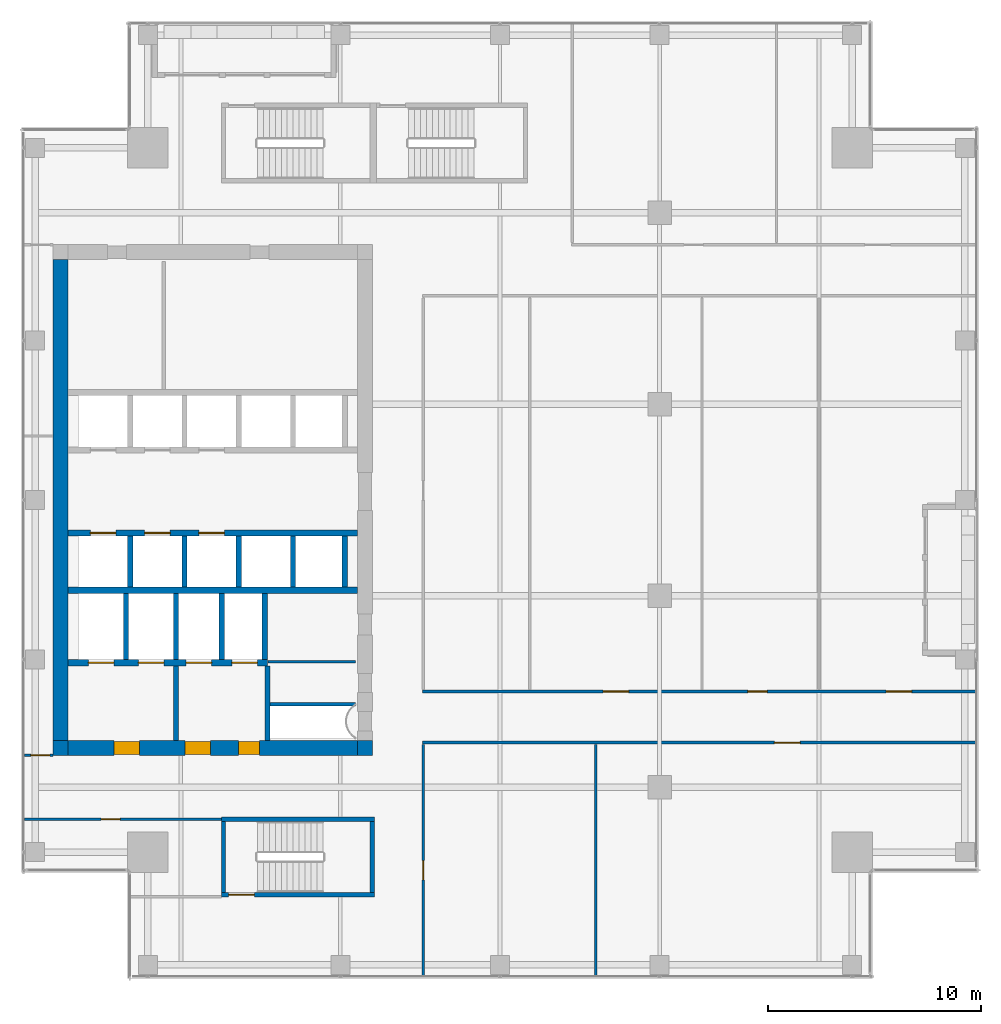
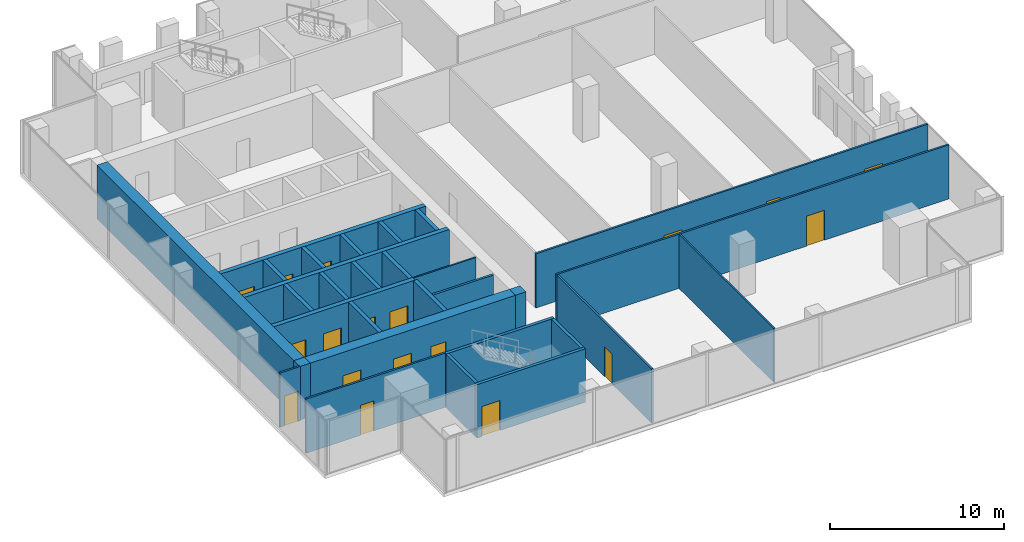
# One storey, part 30 of 35: 30 walls, 18 doors, 18 openings.
"""IFC4 building model written with IfcOpenShell, lengths in metres."""

from ifc_helpers import new_model, si_unit, direction, frame, frame_2d, origin, place, context, subcontext, project, spatial, rectangle, extrude, source, transform, mapped, material, layer, layer_set, type_object, element, fill, save


model = new_model("IFC4")

# Units and contexts
model_context = context("Model", 3, precision=1e-05, world=origin(), true_north=direction((0.0, 1.0)))
body_context = subcontext(model_context, "Body", "Model", "MODEL_VIEW")
ifc_project = project(units=[si_unit("LENGTHUNIT", "METRE"), si_unit("AREAUNIT", "SQUARE_METRE"), si_unit("VOLUMEUNIT", "CUBIC_METRE"), si_unit("PLANEANGLEUNIT", "RADIAN"), si_unit("MASSUNIT", "GRAM", prefix="KILO")], contexts=[model_context])

# Site, building, storey
site_placement = place(None, origin())
site = spatial("IfcSite", under=ifc_project, at=site_placement, CompositionType="ELEMENT")
building_placement = place(site_placement, origin())
building = spatial("IfcBuilding", under=site, at=building_placement, Name="Khomas Fold Tower", CompositionType="ELEMENT")
storey_placement = place(building_placement, frame((0.0, 0.0, 262.199951171875)))
storey = spatial("IfcBuildingStorey", under=building, at=storey_placement, Name="L59", CompositionType="ELEMENT", Elevation=262.199951171875)

# Wall
ifc_material_1 = material(Name="Concrete C50/60", Category="concrete")
ifc_layer_1 = layer(ifc_material_1, 0.199951171875)
ifc_layer_set_1 = layer_set([ifc_layer_1], Name="Concrete C50/60")
wall_type_1 = type_object("IfcWallType", Name="Stair wall 200", PredefinedType="SHEAR", material=ifc_layer_set_1)
shared_shape_1 = source(origin(), body_context, "Body", "SweptSolid", [
    extrude(rectangle(XDim=7.2001953125, YDim=0.199951171875, at=frame_2d((3.60009765625, 0.0))), origin(), (0.0, 0.0, 1.0), 3.75),
])
wall_1_placement = place(storey_placement, frame((13.89990234375, 12.0, 0.0), z_axis=(0.0, 0.0, 1.0), x_axis=(1.0, 0.0, 0.0)))
element("IfcWall", 1, at=wall_1_placement, inside=storey, type_object=wall_type_1, Name="Stair wall SW-ST2-NH", PredefinedType="SHEAR", context=body_context, shape_type="MappedRepresentation", body=[
    mapped(shared_shape_1, transform((0.0, 0.0, 0.0))),
])

# Wall, opening, door
wall_2_placement = place(storey_placement, frame((13.89990234375, 8.449951171875, 0.0), z_axis=(0.0, 0.0, 1.0), x_axis=(1.0, 0.0, 0.0)))
wall_2 = element("IfcWall", 2, at=wall_2_placement, inside=storey, type_object=wall_type_1, Name="Stair wall SW-ST2-S", PredefinedType="SHEAR", context=body_context, shape_type="MappedRepresentation", body=[
    mapped(shared_shape_1, transform((0.0, 0.0, 0.0))),
])
shared_shape_2 = source(origin(), body_context, "Body", "SweptSolid", [
    extrude(rectangle(XDim=1.199951171875, YDim=2.10009765625, at=frame_2d((0.60009765625, 1.050048828125))), frame((0.0, 0.10986328125, 0.0), z_axis=(0.0, -1.0, 0.0), x_axis=(1.0, 0.0, 0.0)), (0.0, 0.0, 1.0), 0.219970703125),
])
opening_1_placement = place(wall_2_placement, frame((0.35009765625, 0.0, 0.0)))
opening_1 = element("IfcOpeningElement", 3, at=opening_1_placement, cuts=wall_2, Name="Opening SD-ST2", PredefinedType="OPENING", context=body_context, shape_type="MappedRepresentation", body=[
    mapped(shared_shape_2, transform((0.0, 0.0, 0.0))),
])
ifc_material_2 = material(Name="Steel door leaf", Category="steel")
door_type_1 = type_object("IfcDoorType", Name="Stair door 1200x2100 right-hand", OperationType="SINGLE_SWING_RIGHT", PredefinedType="DOOR", material=ifc_material_2)
shared_shape_3 = source(origin(), body_context, "Body", "SweptSolid", [
    extrude(rectangle(XDim=1.199951171875, YDim=2.10009765625, at=frame_2d((0.60009765625, 1.050048828125))), frame((0.0, 0.02490234375, 0.0), z_axis=(0.0, -1.0, 0.0), x_axis=(1.0, 0.0, 0.0)), (0.0, 0.0, 1.0), 0.050048828125),
])
door_1_placement = place(opening_1_placement, origin())
door_1 = element("IfcDoor", 4, at=door_1_placement, inside=storey, type_object=door_type_1, Name="Stair door", OperationType="SINGLE_SWING_RIGHT", OverallHeight=2.10009765625, OverallWidth=1.199951171875, PredefinedType="DOOR", context=body_context, shape_type="MappedRepresentation", body=[
    mapped(shared_shape_3, transform((0.0, 0.0, 0.0))),
])
fill(opening_1, door_1)

# Walls
shared_shape_4 = source(origin(), body_context, "Body", "SweptSolid", [
    extrude(rectangle(XDim=3.349853515625, YDim=0.199951171875, at=frame_2d((1.6748046875, 0.0))), origin(), (0.0, 0.0, 1.0), 3.75),
])
for number, where, z_axis, x_axis, name in (
    (5, (21.0, 8.550048828125, 0.0), (0.0, 0.0, 1.0), (0.0, 1.0, 0.0), "Stair wall SW-ST2-E"),
    (6, (14.0, 8.550048828125, 0.0), (0.0, 0.0, 1.0), (0.0, 1.0, 0.0), "Stair wall SW-ST2-W"),
):
    element("IfcWall", number, at=place(storey_placement, frame(where, z_axis=z_axis, x_axis=x_axis)), inside=storey, type_object=wall_type_1, Name=name, PredefinedType="SHEAR", context=body_context, shape_type="MappedRepresentation", body=[
        mapped(shared_shape_4, transform((0.0, 0.0, 0.0))),
    ])
ifc_material_3 = material(Name="Concrete C50/60", Category="concrete")
ifc_layer_2 = layer(ifc_material_3, 0.25)
ifc_layer_set_2 = layer_set([ifc_layer_2], Name="Concrete C50/60")
wall_type_2 = type_object("IfcWallType", Name="Shaft wall 250", PredefinedType="STANDARD", material=ifc_layer_set_2)
shared_shape_5 = source(origin(), body_context, "Body", "SweptSolid", [
    extrude(rectangle(XDim=3.10009765625, YDim=0.25, at=frame_2d((1.550048828125, 0.0))), origin(), (0.0, 0.0, 1.0), 3.75),
])
for number, where, z_axis, x_axis, name in (
    (7, (9.425048828125, 19.5, 0.0), (0.0, 0.0, 1.0), (0.0, 1.0, 0.0), "Core wall SW-FS-P1"),
    (8, (11.77490234375, 19.5, 0.0), (0.0, 0.0, 1.0), (0.0, 1.0, 0.0), "Core wall SW-FS-P2"),
    (9, (13.925048828125, 19.5, 0.0), (0.0, 0.0, 1.0), (0.0, 1.0, 0.0), "Core wall SW-FS-P3"),
    (10, (15.949951171875, 19.5, 0.0), (0.0, 0.0, 1.0), (0.0, 1.0, 0.0), "Core wall SW-FS-PE"),
):
    element("IfcWall", number, at=place(storey_placement, frame(where, z_axis=z_axis, x_axis=x_axis)), inside=storey, type_object=wall_type_2, Name=name, PredefinedType="STANDARD", context=body_context, shape_type="MappedRepresentation", body=[
        mapped(shared_shape_5, transform((0.0, 0.0, 0.0))),
    ])
shared_shape_6 = source(origin(), body_context, "Body", "SweptSolid", [
    extrude(rectangle(XDim=2.400146484375, YDim=0.25, at=frame_2d((1.2001953125, 0.0))), origin(), (0.0, 0.0, 1.0), 3.75),
])
for number, where, z_axis, x_axis, name in (
    (11, (17.27490234375, 22.89990234375, 0.0), (0.0, 0.0, 1.0), (0.0, 1.0, 0.0), "Core wall SW-HRS-MR-P1"),
    (12, (19.699951171875, 22.89990234375, 0.0), (0.0, 0.0, 1.0), (0.0, 1.0, 0.0), "Core wall SW-HRS-MR-PE"),
    (13, (9.625, 22.89990234375, 0.0), (0.0, 0.0, 1.0), (0.0, 1.0, 0.0), "Core wall SW-HRS-P1"),
    (14, (12.175048828125, 22.89990234375, 0.0), (0.0, 0.0, 1.0), (0.0, 1.0, 0.0), "Core wall SW-HRS-P2"),
    (15, (14.72509765625, 22.89990234375, 0.0), (0.0, 0.0, 1.0), (0.0, 1.0, 0.0), "Core wall SW-HRS-PE"),
):
    element("IfcWall", number, at=place(storey_placement, frame(where, z_axis=z_axis, x_axis=x_axis)), inside=storey, type_object=wall_type_2, Name=name, PredefinedType="STANDARD", context=body_context, shape_type="MappedRepresentation", body=[
        mapped(shared_shape_6, transform((0.0, 0.0, 0.0))),
    ])

# Wall, openings, doors
ifc_material_4 = material(Name="Concrete C60/75", Category="concrete")
ifc_layer_3 = layer(ifc_material_4, 0.699951171875)
ifc_layer_set_3 = layer_set([ifc_layer_3], Name="Concrete C60/75")
wall_type_3 = type_object("IfcWallType", Name="Core wall 700", PredefinedType="SHEAR", material=ifc_layer_set_3)
shared_shape_7 = source(origin(), body_context, "Body", "SweptSolid", [
    extrude(rectangle(XDim=13.60009765625, YDim=0.699951171875, at=frame_2d((6.800048828125, 0.0))), origin(), (0.0, 0.0, 1.0), 3.75),
])
wall_3_placement = place(storey_placement, frame((6.699951171875, 15.35009765625, 0.0), z_axis=(0.0, 0.0, 1.0), x_axis=(1.0, 0.0, 0.0)))
wall_3 = element("IfcWall", 16, at=wall_3_placement, inside=storey, type_object=wall_type_3, Name="Core wall CW-U-S-L49", PredefinedType="SHEAR", context=body_context, shape_type="MappedRepresentation", body=[
    mapped(shared_shape_7, transform((0.0, 0.0, 0.0))),
])
shared_shape_8 = source(origin(), body_context, "Body", "SweptSolid", [
    extrude(rectangle(XDim=1.199951171875, YDim=2.10009765625, at=frame_2d((0.60009765625, 1.050048828125))), frame((0.0, 0.35986328125, 0.0), z_axis=(0.0, -1.0, 0.0), x_axis=(1.0, 0.0, 0.0)), (0.0, 0.0, 1.0), 0.719970703125),
])
opening_2_placement = place(wall_3_placement, frame((5.5, 0.0, 0.0)))
opening_2 = element("IfcOpeningElement", 17, at=opening_2_placement, cuts=wall_3, Name="Opening 0009", PredefinedType="OPENING", context=body_context, shape_type="MappedRepresentation", body=[
    mapped(shared_shape_8, transform((0.0, 0.0, 0.0))),
])
opening_3_placement = place(wall_3_placement, frame((2.14990234375, 0.0, 0.0)))
opening_3 = element("IfcOpeningElement", 18, at=opening_3_placement, cuts=wall_3, Name="Opening 0009", PredefinedType="OPENING", context=body_context, shape_type="MappedRepresentation", body=[
    mapped(shared_shape_8, transform((0.0, 0.0, 0.0))),
])
shared_shape_9 = source(origin(), body_context, "Body", "SweptSolid", [
    extrude(rectangle(XDim=1.0, YDim=2.10009765625, at=frame_2d((0.5, 1.050048828125))), frame((0.0, 0.35986328125, 0.0), z_axis=(0.0, -1.0, 0.0), x_axis=(1.0, 0.0, 0.0)), (0.0, 0.0, 1.0), 0.719970703125),
])
opening_4_placement = place(wall_3_placement, frame((8.0, 0.0, 0.0)))
opening_4 = element("IfcOpeningElement", 19, at=opening_4_placement, cuts=wall_3, Name="Opening 0010", PredefinedType="OPENING", context=body_context, shape_type="MappedRepresentation", body=[
    mapped(shared_shape_9, transform((0.0, 0.0, 0.0))),
])
ifc_material_5 = material(Name="Steel door leaf", Category="steel")
door_type_2 = type_object("IfcDoorType", Name="Lobby door 1200x2100 right-hand", OperationType="SINGLE_SWING_RIGHT", PredefinedType="DOOR", material=ifc_material_5)
shared_shape_10 = source(origin(), body_context, "Body", "SweptSolid", [
    extrude(rectangle(XDim=1.199951171875, YDim=2.10009765625, at=frame_2d((0.60009765625, 1.050048828125))), frame((0.0, 0.2998046875, 0.0), z_axis=(0.0, -1.0, 0.0), x_axis=(1.0, 0.0, 0.0)), (0.0, 0.0, 1.0), 0.599853515625),
])
door_2_placement = place(opening_2_placement, origin())
door_2 = element("IfcDoor", 20, at=door_2_placement, inside=storey, type_object=door_type_2, Name="Lobby door", OperationType="SINGLE_SWING_RIGHT", OverallHeight=2.10009765625, OverallWidth=1.199951171875, PredefinedType="DOOR", context=body_context, shape_type="MappedRepresentation", body=[
    mapped(shared_shape_10, transform((0.0, 0.0, 0.0))),
])
fill(opening_2, door_2)
door_3_placement = place(opening_3_placement, origin())
door_3 = element("IfcDoor", 21, at=door_3_placement, inside=storey, type_object=door_type_2, Name="Lobby door", OperationType="SINGLE_SWING_RIGHT", OverallHeight=2.10009765625, OverallWidth=1.199951171875, PredefinedType="DOOR", context=body_context, shape_type="MappedRepresentation", body=[
    mapped(shared_shape_10, transform((0.0, 0.0, 0.0))),
])
fill(opening_3, door_3)
ifc_material_6 = material(Name="Steel door leaf", Category="steel")
door_type_3 = type_object("IfcDoorType", Name="Stair door 1000x2100 right-hand", OperationType="SINGLE_SWING_RIGHT", PredefinedType="DOOR", material=ifc_material_6)
shared_shape_11 = source(origin(), body_context, "Body", "SweptSolid", [
    extrude(rectangle(XDim=1.0, YDim=2.10009765625, at=frame_2d((0.5, 1.050048828125))), frame((0.0, 0.2998046875, 0.0), z_axis=(0.0, -1.0, 0.0), x_axis=(1.0, 0.0, 0.0)), (0.0, 0.0, 1.0), 0.599853515625),
])
door_4_placement = place(opening_4_placement, origin())
door_4 = element("IfcDoor", 22, at=door_4_placement, inside=storey, type_object=door_type_3, Name="Stair door", OperationType="SINGLE_SWING_RIGHT", OverallHeight=2.10009765625, OverallWidth=1.0, PredefinedType="DOOR", context=body_context, shape_type="MappedRepresentation", body=[
    mapped(shared_shape_11, transform((0.0, 0.0, 0.0))),
])
fill(opening_4, door_4)

# Walls
ifc_material_7 = material(Name="Concrete C60/75", Category="concrete")
ifc_layer_4 = layer(ifc_material_7, 0.699951171875)
ifc_layer_set_4 = layer_set([ifc_layer_4], Name="Concrete C60/75")
wall_type_4 = type_object("IfcWallType", Name="Core corner wall 700", PredefinedType="SHEAR", material=ifc_layer_set_4)
shared_shape_12 = source(origin(), body_context, "Body", "SweptSolid", [
    extrude(rectangle(XDim=0.699951171875, YDim=0.699951171875, at=frame_2d((0.35009765625, 0.0))), origin(), (0.0, 0.0, 1.0), 3.75),
])
for number, where, z_axis, x_axis, name in (
    (23, (20.300048828125, 15.35009765625, 0.0), (0.0, 0.0, 1.0), (1.0, 0.0, 0.0), "Core wall CW-U-SE-L49"),
    (24, (6.0, 15.35009765625, 0.0), (0.0, 0.0, 1.0), (1.0, 0.0, 0.0), "Core wall CW-U-SW-L49"),
):
    element("IfcWall", number, at=place(storey_placement, frame(where, z_axis=z_axis, x_axis=x_axis)), inside=storey, type_object=wall_type_4, Name=name, PredefinedType="SHEAR", context=body_context, shape_type="MappedRepresentation", body=[
        mapped(shared_shape_12, transform((0.0, 0.0, 0.0))),
    ])
shared_shape_13 = source(origin(), body_context, "Body", "SweptSolid", [
    extrude(rectangle(XDim=22.60009765625, YDim=0.699951171875, at=frame_2d((11.300048828125, 0.0))), origin(), (0.0, 0.0, 1.0), 3.75),
])
wall_4_placement = place(storey_placement, frame((6.35009765625, 15.699951171875, 0.0), z_axis=(0.0, 0.0, 1.0), x_axis=(0.0, 1.0, 0.0)))
element("IfcWall", 25, at=wall_4_placement, inside=storey, type_object=wall_type_3, Name="Core wall CW-U-W-L49", PredefinedType="SHEAR", context=body_context, shape_type="MappedRepresentation", body=[
    mapped(shared_shape_13, transform((0.0, 0.0, 0.0))),
])
ifc_material_8 = material(Name="Concrete C50/60", Category="concrete")
ifc_layer_5 = layer(ifc_material_8, 0.300048828125)
ifc_layer_set_5 = layer_set([ifc_layer_5], Name="Concrete C50/60")
wall_type_5 = type_object("IfcWallType", Name="Shaft wall 300", PredefinedType="STANDARD", material=ifc_layer_set_5)
shared_shape_14 = source(origin(), body_context, "Body", "SweptSolid", [
    extrude(rectangle(XDim=13.60009765625, YDim=0.300048828125, at=frame_2d((6.800048828125, 0.0))), origin(), (0.0, 0.0, 1.0), 3.75),
])
wall_5_placement = place(storey_placement, frame((6.699951171875, 22.75, 0.0), z_axis=(0.0, 0.0, 1.0), x_axis=(1.0, 0.0, 0.0)))
element("IfcWall", 26, at=wall_5_placement, inside=storey, type_object=wall_type_5, Name="Core wall SW-FS-B", PredefinedType="STANDARD", context=body_context, shape_type="MappedRepresentation", body=[
    mapped(shared_shape_14, transform((0.0, 0.0, 0.0))),
])

# Wall, openings, doors
wall_6_placement = place(storey_placement, frame((6.699951171875, 25.449951171875, 0.0), z_axis=(0.0, 0.0, 1.0), x_axis=(1.0, 0.0, 0.0)))
wall_6 = element("IfcWall", 27, at=wall_6_placement, inside=storey, type_object=wall_type_5, Name="Core wall SW-HRS-F", PredefinedType="STANDARD", context=body_context, shape_type="MappedRepresentation", body=[
    mapped(shared_shape_14, transform((0.0, 0.0, 0.0))),
])
shared_shape_15 = source(origin(), body_context, "Body", "SweptSolid", [
    extrude(rectangle(XDim=1.199951171875, YDim=2.10009765625, at=frame_2d((0.60009765625, 1.050048828125))), frame((0.0, 0.159912109375, 0.0), z_axis=(0.0, -1.0, 0.0), x_axis=(1.0, 0.0, 0.0)), (0.0, 0.0, 1.0), 0.320068359375),
])
opening_5_placement = place(wall_6_placement, frame((1.050048828125, 0.0, 0.0)))
opening_5 = element("IfcOpeningElement", 28, at=opening_5_placement, cuts=wall_6, Name="Opening LD-HR1", PredefinedType="OPENING", context=body_context, shape_type="MappedRepresentation", body=[
    mapped(shared_shape_15, transform((0.0, 0.0, 0.0))),
])
opening_6_placement = place(wall_6_placement, frame((3.60009765625, 0.0, 0.0)))
opening_6 = element("IfcOpeningElement", 29, at=opening_6_placement, cuts=wall_6, Name="Opening LD-HR2", PredefinedType="OPENING", context=body_context, shape_type="MappedRepresentation", body=[
    mapped(shared_shape_15, transform((0.0, 0.0, 0.0))),
])
opening_7_placement = place(wall_6_placement, frame((6.14990234375, 0.0, 0.0)))
opening_7 = element("IfcOpeningElement", 30, at=opening_7_placement, cuts=wall_6, Name="Opening LD-HR3", PredefinedType="OPENING", context=body_context, shape_type="MappedRepresentation", body=[
    mapped(shared_shape_15, transform((0.0, 0.0, 0.0))),
])
ifc_material_9 = material(Name="Steel door leaf", Category="steel")
door_type_4 = type_object("IfcDoorType", Name="Landing door 1200x2100", OperationType="DOUBLE_DOOR_SLIDING", PredefinedType="DOOR", material=ifc_material_9)
door_5_placement = place(opening_5_placement, origin())
door_5 = element("IfcDoor", 31, at=door_5_placement, inside=storey, type_object=door_type_4, Name="Lift landing door", OperationType="DOUBLE_DOOR_SLIDING", OverallHeight=2.10009765625, OverallWidth=1.199951171875, PredefinedType="DOOR", context=body_context, shape_type="MappedRepresentation", body=[
    mapped(shared_shape_3, transform((0.0, 0.0, 0.0))),
])
fill(opening_5, door_5)
door_6_placement = place(opening_6_placement, origin())
door_6 = element("IfcDoor", 32, at=door_6_placement, inside=storey, type_object=door_type_4, Name="Lift landing door", OperationType="DOUBLE_DOOR_SLIDING", OverallHeight=2.10009765625, OverallWidth=1.199951171875, PredefinedType="DOOR", context=body_context, shape_type="MappedRepresentation", body=[
    mapped(shared_shape_3, transform((0.0, 0.0, 0.0))),
])
fill(opening_6, door_6)
door_7_placement = place(opening_7_placement, origin())
door_7 = element("IfcDoor", 33, at=door_7_placement, inside=storey, type_object=door_type_4, Name="Lift landing door", OperationType="DOUBLE_DOOR_SLIDING", OverallHeight=2.10009765625, OverallWidth=1.199951171875, PredefinedType="DOOR", context=body_context, shape_type="MappedRepresentation", body=[
    mapped(shared_shape_3, transform((0.0, 0.0, 0.0))),
])
fill(opening_7, door_7)

shared_shape_16 = source(origin(), body_context, "Body", "SweptSolid", [
    extrude(rectangle(XDim=9.375, YDim=0.300048828125, at=frame_2d((4.6875, 0.0))), origin(), (0.0, 0.0, 1.0), 3.75),
])
wall_7_placement = place(storey_placement, frame((6.699951171875, 19.35009765625, 0.0), z_axis=(0.0, 0.0, 1.0), x_axis=(1.0, 0.0, 0.0)))
wall_7 = element("IfcWall", 34, at=wall_7_placement, inside=storey, type_object=wall_type_5, Name="Core wall SW-FS-F", PredefinedType="STANDARD", context=body_context, shape_type="MappedRepresentation", body=[
    mapped(shared_shape_16, transform((0.0, 0.0, 0.0))),
])
opening_8_placement = place(wall_7_placement, frame((0.949951171875, 0.0, 0.0)))
opening_8 = element("IfcOpeningElement", 35, at=opening_8_placement, cuts=wall_7, Name="Opening LD-SV1", PredefinedType="OPENING", context=body_context, shape_type="MappedRepresentation", body=[
    mapped(shared_shape_15, transform((0.0, 0.0, 0.0))),
])
opening_9_placement = place(wall_7_placement, frame((3.300048828125, 0.0, 0.0)))
opening_9 = element("IfcOpeningElement", 36, at=opening_9_placement, cuts=wall_7, Name="Opening LD-SV2", PredefinedType="OPENING", context=body_context, shape_type="MappedRepresentation", body=[
    mapped(shared_shape_15, transform((0.0, 0.0, 0.0))),
])
opening_10_placement = place(wall_7_placement, frame((5.550048828125, 0.0, 0.0)))
opening_10 = element("IfcOpeningElement", 37, at=opening_10_placement, cuts=wall_7, Name="Opening LD-FF1", PredefinedType="OPENING", context=body_context, shape_type="MappedRepresentation", body=[
    mapped(shared_shape_15, transform((0.0, 0.0, 0.0))),
])
opening_11_placement = place(wall_7_placement, frame((7.699951171875, 0.0, 0.0)))
opening_11 = element("IfcOpeningElement", 38, at=opening_11_placement, cuts=wall_7, Name="Opening LD-FF2", PredefinedType="OPENING", context=body_context, shape_type="MappedRepresentation", body=[
    mapped(shared_shape_15, transform((0.0, 0.0, 0.0))),
])
door_8_placement = place(opening_8_placement, origin())
door_8 = element("IfcDoor", 39, at=door_8_placement, inside=storey, type_object=door_type_4, Name="Lift landing door", OperationType="DOUBLE_DOOR_SLIDING", OverallHeight=2.10009765625, OverallWidth=1.199951171875, PredefinedType="DOOR", context=body_context, shape_type="MappedRepresentation", body=[
    mapped(shared_shape_3, transform((0.0, 0.0, 0.0))),
])
fill(opening_8, door_8)
door_9_placement = place(opening_9_placement, origin())
door_9 = element("IfcDoor", 40, at=door_9_placement, inside=storey, type_object=door_type_4, Name="Lift landing door", OperationType="DOUBLE_DOOR_SLIDING", OverallHeight=2.10009765625, OverallWidth=1.199951171875, PredefinedType="DOOR", context=body_context, shape_type="MappedRepresentation", body=[
    mapped(shared_shape_3, transform((0.0, 0.0, 0.0))),
])
fill(opening_9, door_9)
door_10_placement = place(opening_10_placement, origin())
door_10 = element("IfcDoor", 41, at=door_10_placement, inside=storey, type_object=door_type_4, Name="Lift landing door", OperationType="DOUBLE_DOOR_SLIDING", OverallHeight=2.10009765625, OverallWidth=1.199951171875, PredefinedType="DOOR", context=body_context, shape_type="MappedRepresentation", body=[
    mapped(shared_shape_3, transform((0.0, 0.0, 0.0))),
])
fill(opening_10, door_10)
door_11_placement = place(opening_11_placement, origin())
door_11 = element("IfcDoor", 42, at=door_11_placement, inside=storey, type_object=door_type_4, Name="Lift landing door", OperationType="DOUBLE_DOOR_SLIDING", OverallHeight=2.10009765625, OverallWidth=1.199951171875, PredefinedType="DOOR", context=body_context, shape_type="MappedRepresentation", body=[
    mapped(shared_shape_3, transform((0.0, 0.0, 0.0))),
])
fill(opening_11, door_11)

# Walls
ifc_material_10 = material(Name="Concrete C50/60", Category="concrete")
ifc_layer_6 = layer(ifc_material_10, 0.25)
ifc_layer_set_6 = layer_set([ifc_layer_6], Name="Concrete C50/60")
wall_type_6 = type_object("IfcWallType", Name="Lobby wall 250", PredefinedType="STANDARD", material=ifc_layer_set_6)
shared_shape_17 = source(origin(), body_context, "Body", "SweptSolid", [
    extrude(rectangle(XDim=3.5, YDim=0.25, at=frame_2d((1.75, 0.0))), origin(), (0.0, 0.0, 1.0), 3.75),
])
for number, where, z_axis, x_axis, name in (
    (43, (16.074951171875, 15.699951171875, 0.0), (0.0, 0.0, 1.0), (0.0, 1.0, 0.0), "Core wall SW-FS-LOB-E"),
    (44, (11.77490234375, 15.699951171875, 0.0), (0.0, 0.0, 1.0), (0.0, 1.0, 0.0), "Core wall SW-FS-SEP"),
):
    element("IfcWall", number, at=place(storey_placement, frame(where, z_axis=z_axis, x_axis=x_axis)), inside=storey, type_object=wall_type_6, Name=name, PredefinedType="STANDARD", context=body_context, shape_type="MappedRepresentation", body=[
        mapped(shared_shape_17, transform((0.0, 0.0, 0.0))),
    ])
ifc_material_11 = material(Name="Plasterboard fire partition")
ifc_layer_7 = layer(ifc_material_11, 0.14990234375)
ifc_layer_set_7 = layer_set([ifc_layer_7], Name="Plasterboard fire partition")
wall_type_7 = type_object("IfcWallType", Name="Plant room wall PW3 150", PredefinedType="PARTITIONING", material=ifc_layer_set_7)
shared_shape_18 = source(origin(), body_context, "Body", "SweptSolid", [
    extrude(rectangle(XDim=4.0, YDim=0.14990234375, at=frame_2d((2.0, 0.0))), origin(), (0.0, 0.0, 1.0), 3.800048828125),
])
wall_8_placement = place(storey_placement, frame((16.199951171875, 17.39990234375, 0.0), z_axis=(0.0, 0.0, 1.0), x_axis=(1.0, 0.0, 0.0)))
element("IfcWall", 45, at=wall_8_placement, inside=storey, type_object=wall_type_7, Name="Plant room wall", PredefinedType="PARTITIONING", context=body_context, shape_type="MappedRepresentation", body=[
    mapped(shared_shape_18, transform((0.0, 0.0, 0.0))),
])
ifc_material_12 = material(Name="Plasterboard partition")
ifc_layer_8 = layer(ifc_material_12, 0.10009765625)
ifc_layer_set_8 = layer_set([ifc_layer_8], Name="Plasterboard partition")
wall_type_8 = type_object("IfcWallType", Name="Partition PW1 100", PredefinedType="PARTITIONING", material=ifc_layer_set_8)
shared_shape_19 = source(origin(), body_context, "Body", "SweptSolid", [
    extrude(rectangle(XDim=4.099853515625, YDim=0.10009765625, at=frame_2d((2.0498046875, 0.0))), origin(), (0.0, 0.0, 1.0), 3.800048828125),
])
wall_9_placement = place(storey_placement, frame((16.10009765625, 19.39990234375, 0.0), z_axis=(0.0, 0.0, 1.0), x_axis=(1.0, 0.0, 0.0)))
element("IfcWall", 46, at=wall_9_placement, inside=storey, type_object=wall_type_8, Name="Partition", PredefinedType="PARTITIONING", context=body_context, shape_type="MappedRepresentation", body=[
    mapped(shared_shape_19, transform((0.0, 0.0, 0.0))),
])

# Wall, opening, door
ifc_material_13 = material(Name="Plasterboard partition")
ifc_layer_9 = layer(ifc_material_13, 0.125)
ifc_layer_set_9 = layer_set([ifc_layer_9], Name="Plasterboard partition")
wall_type_9 = type_object("IfcWallType", Name="Partition PW2 125", PredefinedType="PARTITIONING", material=ifc_layer_set_9)
shared_shape_20 = source(origin(), body_context, "Body", "SweptSolid", [
    extrude(rectangle(XDim=9.25, YDim=0.125, at=frame_2d((4.625, 0.0))), origin(), (0.0, 0.0, 1.0), 3.800048828125),
])
wall_10_placement = place(storey_placement, frame((4.64990234375, 12.0, 0.0), z_axis=(0.0, 0.0, 1.0), x_axis=(1.0, 0.0, 0.0)))
wall_10 = element("IfcWall", 47, at=wall_10_placement, inside=storey, type_object=wall_type_9, Name="Partition", PredefinedType="PARTITIONING", context=body_context, shape_type="MappedRepresentation", body=[
    mapped(shared_shape_20, transform((0.0, 0.0, 0.0))),
])
shared_shape_21 = source(origin(), body_context, "Body", "SweptSolid", [
    extrude(rectangle(XDim=0.89990234375, YDim=2.10009765625, at=frame_2d((0.449951171875, 1.050048828125))), frame((0.0, 0.072509765625, 0.0), z_axis=(0.0, -1.0, 0.0), x_axis=(1.0, 0.0, 0.0)), (0.0, 0.0, 1.0), 0.14501953125),
])
opening_12_placement = place(wall_10_placement, frame((3.60009765625, 0.0, 0.0)))
opening_12 = element("IfcOpeningElement", 48, at=opening_12_placement, cuts=wall_10, Name="Opening 0007", PredefinedType="OPENING", context=body_context, shape_type="MappedRepresentation", body=[
    mapped(shared_shape_21, transform((0.0, 0.0, 0.0))),
])
ifc_material_14 = material(Name="Timber door leaf", Category="wood")
door_type_5 = type_object("IfcDoorType", Name="Door 900x2100 left-hand", OperationType="SINGLE_SWING_LEFT", PredefinedType="DOOR", material=ifc_material_14)
shared_shape_22 = source(origin(), body_context, "Body", "SweptSolid", [
    extrude(rectangle(XDim=0.89990234375, YDim=2.10009765625, at=frame_2d((0.449951171875, 1.050048828125))), frame((0.0, 0.02490234375, 0.0), z_axis=(0.0, -1.0, 0.0), x_axis=(1.0, 0.0, 0.0)), (0.0, 0.0, 1.0), 0.050048828125),
])
door_12_placement = place(opening_12_placement, origin())
door_12 = element("IfcDoor", 49, at=door_12_placement, inside=storey, type_object=door_type_5, Name="Door", OperationType="SINGLE_SWING_LEFT", OverallHeight=2.10009765625, OverallWidth=0.89990234375, PredefinedType="DOOR", context=body_context, shape_type="MappedRepresentation", body=[
    mapped(shared_shape_22, transform((0.0, 0.0, 0.0))),
])
fill(opening_12, door_12)

shared_shape_23 = source(origin(), body_context, "Body", "SweptSolid", [
    extrude(rectangle(XDim=10.85009765625, YDim=0.125, at=frame_2d((5.425048828125, 0.0))), origin(), (0.0, 0.0, 1.0), 3.800048828125),
])
wall_11_placement = place(storey_placement, frame((23.39990234375, 4.64990234375, 0.0), z_axis=(0.0, 0.0, 1.0), x_axis=(0.0, 1.0, 0.0)))
wall_11 = element("IfcWall", 50, at=wall_11_placement, inside=storey, type_object=wall_type_9, Name="Partition", PredefinedType="PARTITIONING", context=body_context, shape_type="MappedRepresentation", body=[
    mapped(shared_shape_23, transform((0.0, 0.0, 0.0))),
])
opening_13_placement = place(wall_11_placement, frame((4.5, 0.0, 0.0)))
opening_13 = element("IfcOpeningElement", 51, at=opening_13_placement, cuts=wall_11, Name="Opening 0007", PredefinedType="OPENING", context=body_context, shape_type="MappedRepresentation", body=[
    mapped(shared_shape_21, transform((0.0, 0.0, 0.0))),
])
door_13_placement = place(opening_13_placement, origin())
door_13 = element("IfcDoor", 52, at=door_13_placement, inside=storey, type_object=door_type_5, Name="Door", OperationType="SINGLE_SWING_LEFT", OverallHeight=2.10009765625, OverallWidth=0.89990234375, PredefinedType="DOOR", context=body_context, shape_type="MappedRepresentation", body=[
    mapped(shared_shape_22, transform((0.0, 0.0, 0.0))),
])
fill(opening_13, door_13)

# Wall
shared_shape_24 = source(origin(), body_context, "Body", "SweptSolid", [
    extrude(rectangle(XDim=10.85009765625, YDim=0.10009765625, at=frame_2d((5.425048828125, 0.0))), origin(), (0.0, 0.0, 1.0), 3.800048828125),
])
wall_12_placement = place(storey_placement, frame((31.5, 4.64990234375, 0.0), z_axis=(0.0, 0.0, 1.0), x_axis=(0.0, 1.0, 0.0)))
element("IfcWall", 53, at=wall_12_placement, inside=storey, type_object=wall_type_8, Name="Partition", PredefinedType="PARTITIONING", context=body_context, shape_type="MappedRepresentation", body=[
    mapped(shared_shape_24, transform((0.0, 0.0, 0.0))),
])

# Wall, opening, door
shared_shape_25 = source(origin(), body_context, "Body", "SweptSolid", [
    extrude(rectangle(XDim=1.35009765625, YDim=0.125, at=frame_2d((0.675048828125, 0.0))), origin(), (0.0, 0.0, 1.0), 3.800048828125),
])
wall_13_placement = place(storey_placement, frame((4.64990234375, 15.0, 0.0), z_axis=(0.0, 0.0, 1.0), x_axis=(1.0, 0.0, 0.0)))
wall_13 = element("IfcWall", 54, at=wall_13_placement, inside=storey, type_object=wall_type_9, Name="Partition", PredefinedType="PARTITIONING", context=body_context, shape_type="MappedRepresentation", body=[
    mapped(shared_shape_25, transform((0.0, 0.0, 0.0))),
])
opening_14_placement = place(wall_13_placement, frame((0.300048828125, 0.0, 0.0)))
opening_14 = element("IfcOpeningElement", 55, at=opening_14_placement, cuts=wall_13, Name="Opening 0007", PredefinedType="OPENING", context=body_context, shape_type="MappedRepresentation", body=[
    mapped(shared_shape_21, transform((0.0, 0.0, 0.0))),
])
door_14_placement = place(opening_14_placement, origin())
door_14 = element("IfcDoor", 56, at=door_14_placement, inside=storey, type_object=door_type_5, Name="Door", OperationType="SINGLE_SWING_LEFT", OverallHeight=2.10009765625, OverallWidth=0.89990234375, PredefinedType="DOOR", context=body_context, shape_type="MappedRepresentation", body=[
    mapped(shared_shape_22, transform((0.0, 0.0, 0.0))),
])
fill(opening_14, door_14)

shared_shape_26 = source(origin(), body_context, "Body", "SweptSolid", [
    extrude(rectangle(XDim=26.0, YDim=0.125, at=frame_2d((13.0, 0.0))), origin(), (0.0, 0.0, 1.0), 3.800048828125),
])
wall_14_placement = place(storey_placement, frame((23.35009765625, 15.60009765625, 0.0), z_axis=(0.0, 0.0, 1.0), x_axis=(1.0, 0.0, 0.0)))
wall_14 = element("IfcWall", 57, at=wall_14_placement, inside=storey, type_object=wall_type_9, Name="Partition", PredefinedType="PARTITIONING", context=body_context, shape_type="MappedRepresentation", body=[
    mapped(shared_shape_26, transform((0.0, 0.0, 0.0))),
])
shared_shape_27 = source(origin(), body_context, "Body", "SweptSolid", [
    extrude(rectangle(XDim=1.199951171875, YDim=2.10009765625, at=frame_2d((0.60009765625, 1.050048828125))), frame((0.0, 0.072509765625, 0.0), z_axis=(0.0, -1.0, 0.0), x_axis=(1.0, 0.0, 0.0)), (0.0, 0.0, 1.0), 0.14501953125),
])
opening_15_placement = place(wall_14_placement, frame((16.550048828125, 0.0, 0.0)))
opening_15 = element("IfcOpeningElement", 58, at=opening_15_placement, cuts=wall_14, Name="Opening 0001", PredefinedType="OPENING", context=body_context, shape_type="MappedRepresentation", body=[
    mapped(shared_shape_27, transform((0.0, 0.0, 0.0))),
])
ifc_material_15 = material(Name="Timber door leaf", Category="wood")
door_type_6 = type_object("IfcDoorType", Name="Door 1200x2100 right-hand", OperationType="SINGLE_SWING_RIGHT", PredefinedType="DOOR", material=ifc_material_15)
door_15_placement = place(opening_15_placement, origin())
door_15 = element("IfcDoor", 59, at=door_15_placement, inside=storey, type_object=door_type_6, Name="Door", OperationType="SINGLE_SWING_RIGHT", OverallHeight=2.10009765625, OverallWidth=1.199951171875, PredefinedType="DOOR", context=body_context, shape_type="MappedRepresentation", body=[
    mapped(shared_shape_3, transform((0.0, 0.0, 0.0))),
])
fill(opening_15, door_15)

# Wall, openings, doors
wall_15_placement = place(storey_placement, frame((23.35009765625, 18.0, 0.0), z_axis=(0.0, 0.0, 1.0), x_axis=(1.0, 0.0, 0.0)))
wall_15 = element("IfcWall", 60, at=wall_15_placement, inside=storey, type_object=wall_type_9, Name="Partition", PredefinedType="PARTITIONING", context=body_context, shape_type="MappedRepresentation", body=[
    mapped(shared_shape_26, transform((0.0, 0.0, 0.0))),
])
opening_16_placement = place(wall_15_placement, frame((8.5, 0.0, 0.0)))
opening_16 = element("IfcOpeningElement", 61, at=opening_16_placement, cuts=wall_15, Name="Opening 0013", PredefinedType="OPENING", context=body_context, shape_type="MappedRepresentation", body=[
    mapped(shared_shape_27, transform((0.0, 0.0, 0.0))),
])
opening_17_placement = place(wall_15_placement, frame((15.300048828125, 0.0, 0.0)))
opening_17 = element("IfcOpeningElement", 62, at=opening_17_placement, cuts=wall_15, Name="Opening 0008", PredefinedType="OPENING", context=body_context, shape_type="MappedRepresentation", body=[
    mapped(shared_shape_21, transform((0.0, 0.0, 0.0))),
])
opening_18_placement = place(wall_15_placement, frame((21.800048828125, 0.0, 0.0)))
opening_18 = element("IfcOpeningElement", 63, at=opening_18_placement, cuts=wall_15, Name="Opening 0013", PredefinedType="OPENING", context=body_context, shape_type="MappedRepresentation", body=[
    mapped(shared_shape_27, transform((0.0, 0.0, 0.0))),
])
ifc_material_16 = material(Name="Timber door leaf", Category="wood")
door_type_7 = type_object("IfcDoorType", Name="Door 900x2100 right-hand", OperationType="SINGLE_SWING_RIGHT", PredefinedType="DOOR", material=ifc_material_16)
door_16_placement = place(opening_17_placement, origin())
door_16 = element("IfcDoor", 64, at=door_16_placement, inside=storey, type_object=door_type_7, Name="Door", OperationType="SINGLE_SWING_RIGHT", OverallHeight=2.10009765625, OverallWidth=0.89990234375, PredefinedType="DOOR", context=body_context, shape_type="MappedRepresentation", body=[
    mapped(shared_shape_22, transform((0.0, 0.0, 0.0))),
])
fill(opening_17, door_16)
ifc_material_17 = material(Name="Timber door leaf", Category="wood")
door_type_8 = type_object("IfcDoorType", Name="Door 1200x2100 left-hand", OperationType="SINGLE_SWING_LEFT", PredefinedType="DOOR", material=ifc_material_17)
door_17_placement = place(opening_16_placement, origin())
door_17 = element("IfcDoor", 65, at=door_17_placement, inside=storey, type_object=door_type_8, Name="Door", OperationType="SINGLE_SWING_LEFT", OverallHeight=2.10009765625, OverallWidth=1.199951171875, PredefinedType="DOOR", context=body_context, shape_type="MappedRepresentation", body=[
    mapped(shared_shape_3, transform((0.0, 0.0, 0.0))),
])
fill(opening_16, door_17)
door_18_placement = place(opening_18_placement, origin())
door_18 = element("IfcDoor", 66, at=door_18_placement, inside=storey, type_object=door_type_8, Name="Door", OperationType="SINGLE_SWING_LEFT", OverallHeight=2.10009765625, OverallWidth=1.199951171875, PredefinedType="DOOR", context=body_context, shape_type="MappedRepresentation", body=[
    mapped(shared_shape_3, transform((0.0, 0.0, 0.0))),
])
fill(opening_18, door_18)

save(model, "model.ifc")
